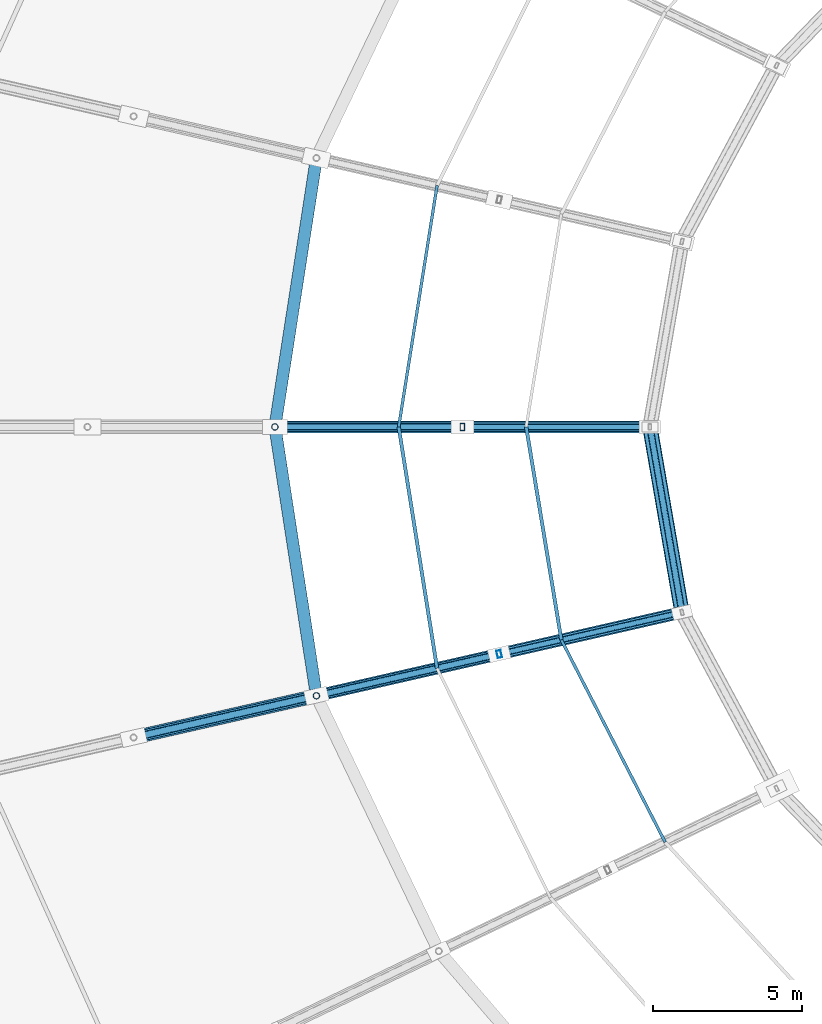
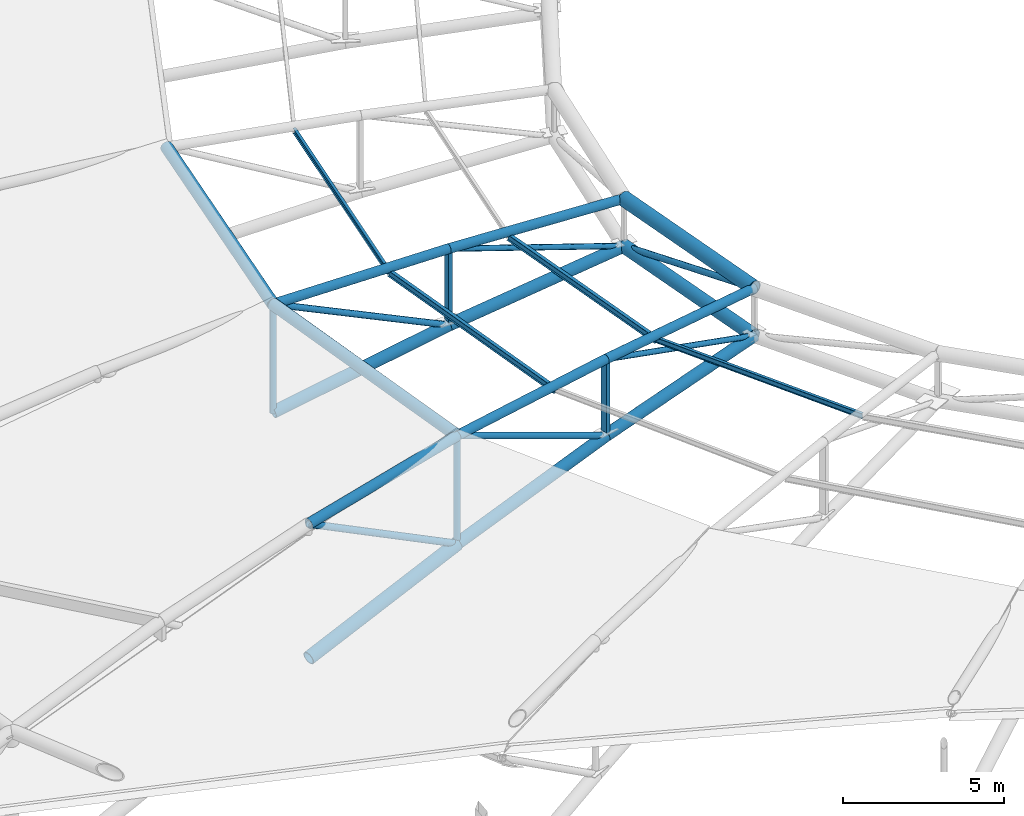
# One storey, part 33 of 108: 28 members.
"""IFC4 building model written with IfcOpenShell, lengths in metres."""

from ifc_helpers import new_model, si_unit, direction, frame, origin, origin_2d, place, context, subcontext, project, spatial, hollow_rectangle, hollow_circle, i_section, extrude, material, material_profile, profile_set, type_object, element, save


model = new_model("IFC4")

# Units and contexts
model_context = context("Model", 3, precision=1e-05, world=origin(), true_north=direction((0.0, 1.0)))
body_context = subcontext(model_context, "Body", "Model", "MODEL_VIEW")
ifc_project = project(units=[si_unit("LENGTHUNIT", "METRE"), si_unit("AREAUNIT", "SQUARE_METRE"), si_unit("VOLUMEUNIT", "CUBIC_METRE"), si_unit("PLANEANGLEUNIT", "RADIAN"), si_unit("MASSUNIT", "GRAM", prefix="KILO")], contexts=[model_context])

# Site, building, storey
site_placement = place(None, origin())
site = spatial("IfcSite", under=ifc_project, at=site_placement, CompositionType="ELEMENT")
building_placement = place(site_placement, origin())
building = spatial("IfcBuilding", under=site, at=building_placement, Name="Zevraka Park Crest Stadium", CompositionType="ELEMENT")
storey_placement = place(building_placement, frame((0.0, 0.0, 29.39990234375)))
storey = spatial("IfcBuildingStorey", under=building, at=storey_placement, Name="RF", CompositionType="ELEMENT", Elevation=29.39990234375)

# Members
ifc_material_1 = material(Name="Steel S355", Category="steel")
ifc_material_profile_1 = material_profile(ifc_material_1, i_section(OverallWidth=0.1201171875, OverallDepth=0.239990234375, WebThickness=0.006103515625, FlangeThickness=0.009765625, at=origin_2d()), Name="IPE 240")
ifc_profile_set_1 = profile_set([ifc_material_profile_1], Name="Steel S355")
member_type_1 = type_object("IfcMemberType", Name="PR01", PredefinedType="PURLIN", material=ifc_profile_set_1)
member_1_placement = place(storey_placement, frame((60.55810546875, 92.0, 9.153076171875), z_axis=(0.157084730465, -0.987585129219, 0.0), x_axis=(0.987585129219, 0.157084730465, 0.0)))
element("IfcMember", 1, at=member_1_placement, inside=storey, type_object=member_type_1, Name="Canopy Roof Purlin PR01 INNER-15-1", PredefinedType="PURLIN", context=body_context, shape_type="SweptSolid", body=[
    extrude(i_section(OverallWidth=0.1201171875, OverallDepth=0.239990234375, WebThickness=0.006103515625, FlangeThickness=0.009765625, at=origin_2d()), origin(), (0.0, 0.0, 1.0), 8.2109375),
])
member_2_placement = place(storey_placement, frame((64.842041015625, 92.0, 9.01708984375), z_axis=(0.162952302603, -0.986633947863, 0.0), x_axis=(0.986633947863, 0.162952302603, 0.0)))
element("IfcMember", 2, at=member_2_placement, inside=storey, type_object=member_type_1, Name="Canopy Roof Purlin PR01 INNER-15-2", PredefinedType="PURLIN", context=body_context, shape_type="SweptSolid", body=[
    extrude(i_section(OverallWidth=0.1201171875, OverallDepth=0.239990234375, WebThickness=0.006103515625, FlangeThickness=0.009765625, at=origin_2d()), origin(), (0.0, 0.0, 1.0), 7.2529296875),
])
ifc_material_2 = material(Name="Steel S355", Category="steel")
ifc_material_profile_2 = material_profile(ifc_material_2, i_section(OverallWidth=0.10009765625, OverallDepth=0.199951171875, WebThickness=0.005615234375, FlangeThickness=0.008544921875, at=origin_2d()), Name="IPE 200")
ifc_profile_set_2 = profile_set([ifc_material_profile_2], Name="Steel S355")
member_type_2 = type_object("IfcMemberType", Name="PR03", PredefinedType="PURLIN", material=ifc_profile_set_2)
member_3_placement = place(storey_placement, frame((61.847900390625, 100.10888671875, 9.173095703125), z_axis=(-0.157084730465, -0.987585129219, 0.0), x_axis=(0.987585129219, -0.157084730465, 0.0)))
element("IfcMember", 3, at=member_3_placement, inside=storey, type_object=member_type_2, Name="Canopy Roof Purlin PR03 INNER-14-1", PredefinedType="PURLIN", context=body_context, shape_type="SweptSolid", body=[
    extrude(i_section(OverallWidth=0.10009765625, OverallDepth=0.199951171875, WebThickness=0.005615234375, FlangeThickness=0.008544921875, at=origin_2d()), origin(), (0.0, 0.0, 1.0), 8.2109375),
])
member_4_placement = place(storey_placement, frame((66.02392578125, 84.843994140625, 9.037109375), z_axis=(0.456571603889, -0.889686669858, 0.0), x_axis=(0.889686669858, 0.456571603889, 0.0)))
element("IfcMember", 4, at=member_4_placement, inside=storey, type_object=member_type_2, Name="Canopy Roof Purlin PR03 INNER-16-2", PredefinedType="PURLIN", context=body_context, shape_type="SweptSolid", body=[
    extrude(i_section(OverallWidth=0.10009765625, OverallDepth=0.199951171875, WebThickness=0.005615234375, FlangeThickness=0.008544921875, at=origin_2d()), origin(), (0.0, 0.0, 1.0), 7.6396484375),
])
ifc_material_3 = material(Name="Steel S355", Category="steel")
ifc_material_profile_3 = material_profile(ifc_material_3, hollow_circle(Radius=0.25390625, WallThickness=0.030029296875, at=origin_2d()), Name="CHS 508.0x30")
ifc_profile_set_3 = profile_set([ifc_material_profile_3], Name="Steel S355")
member_type_3 = type_object("IfcMemberType", Name="TC01", PredefinedType="CHORD", material=ifc_profile_set_3)
member_5_placement = place(storey_placement, frame((69.0, 92.0, 9.0), z_axis=(0.170456369682, -0.985365224693, 0.0), x_axis=(0.985365224693, 0.170456369682, 0.0)))
element("IfcMember", 5, at=member_5_placement, inside=storey, type_object=member_type_3, Name="Roof Inner Oculus Compression-Tension Ring TC01 15", PredefinedType="CHORD", context=body_context, shape_type="SweptSolid", body=[
    extrude(hollow_circle(Radius=0.25390625, WallThickness=0.030029296875, at=origin_2d()), origin(), (0.0, 0.0, 1.0), 6.323486328125),
])
ifc_material_4 = material(Name="Steel S355", Category="steel")
ifc_material_profile_4 = material_profile(ifc_material_4, hollow_circle(Radius=0.228515625, WallThickness=0.02490234375, at=origin_2d()), Name="CHS 457.0x25")
ifc_profile_set_4 = profile_set([ifc_material_profile_4], Name="Steel S355")
member_type_4 = type_object("IfcMemberType", Name="TC02", PredefinedType="CHORD", material=ifc_profile_set_4)
member_6_placement = place(storey_placement, frame((51.652099609375, 81.56396484375, 3.9501953125), z_axis=(0.953281562703, 0.217621179576, 0.209512014954), x_axis=(-0.222560675043, 0.974918840686, 0.0)))
element("IfcMember", 6, at=member_6_placement, inside=storey, type_object=member_type_4, Name="Roof Truss Bottom Chord TC02 T16-5", PredefinedType="CHORD", context=body_context, shape_type="SweptSolid", body=[
    extrude(hollow_circle(Radius=0.228515625, WallThickness=0.02490234375, at=origin_2d()), origin(), (0.0, 0.0, 1.0), 6.44287109375),
])
member_7_placement = place(storey_placement, frame((69.0, 92.0, 7.2001953125), z_axis=(0.170456369682, -0.985365224693, 0.0), x_axis=(0.985365224693, 0.170456369682, 0.0)))
element("IfcMember", 7, at=member_7_placement, inside=storey, type_object=member_type_4, Name="Roof Inner Oculus Bottom Ring TC02 15", PredefinedType="CHORD", context=body_context, shape_type="SweptSolid", body=[
    extrude(hollow_circle(Radius=0.228515625, WallThickness=0.02490234375, at=origin_2d()), origin(), (0.0, 0.0, 1.0), 6.323486328125),
])
ifc_material_5 = material(Name="Steel S355", Category="steel")
ifc_material_profile_5 = material_profile(ifc_material_5, hollow_circle(Radius=0.203125, WallThickness=0.02001953125, at=origin_2d()), Name="CHS 406.4x20")
ifc_profile_set_5 = profile_set([ifc_material_profile_5], Name="Steel S355")
member_type_5 = type_object("IfcMemberType", Name="TC03", PredefinedType="CHORD", material=ifc_profile_set_5)
member_8_placement = place(storey_placement, frame((56.39990234375, 92.0, 5.300048828125), z_axis=(0.985094409339, 0.0, 0.172014547897), x_axis=(0.0, 1.0, 0.0)))
element("IfcMember", 8, at=member_8_placement, inside=storey, type_object=member_type_5, Name="Roof Truss Bottom Chord TC03 T15-6", PredefinedType="CHORD", context=body_context, shape_type="SweptSolid", body=[
    extrude(hollow_circle(Radius=0.203125, WallThickness=0.02001953125, at=origin_2d()), origin(), (0.0, 0.0, 1.0), 6.395263671875),
])
member_9_placement = place(storey_placement, frame((62.699951171875, 92.0, 6.400146484375), z_axis=(0.992032890363, 0.0, 0.125979142868), x_axis=(0.0, 1.0, 0.0)))
element("IfcMember", 9, at=member_9_placement, inside=storey, type_object=member_type_5, Name="Roof Truss Bottom Chord TC03 T15-7", PredefinedType="CHORD", context=body_context, shape_type="SweptSolid", body=[
    extrude(hollow_circle(Radius=0.203125, WallThickness=0.02001953125, at=origin_2d()), origin(), (0.0, 0.0, 1.0), 6.3505859375),
])
member_10_placement = place(storey_placement, frame((57.7939453125, 82.966064453125, 5.300048828125), z_axis=(0.960397219196, 0.219198697536, 0.172014860867), x_axis=(-0.222515433667, 0.974929167571, 0.0)))
element("IfcMember", 10, at=member_10_placement, inside=storey, type_object=member_type_5, Name="Roof Truss Bottom Chord TC03 T16-6", PredefinedType="CHORD", context=body_context, shape_type="SweptSolid", body=[
    extrude(hollow_circle(Radius=0.203125, WallThickness=0.02001953125, at=origin_2d()), origin(), (0.0, 0.0, 1.0), 6.395263671875),
])
member_11_placement = place(storey_placement, frame((63.93603515625, 84.367919921875, 6.400146484375), z_axis=(0.967183906339, 0.22064111136, 0.12598726641), x_axis=(-0.222413332215, 0.97495246533, 0.0)))
element("IfcMember", 11, at=member_11_placement, inside=storey, type_object=member_type_5, Name="Roof Truss Bottom Chord TC03 T16-7", PredefinedType="CHORD", context=body_context, shape_type="SweptSolid", body=[
    extrude(hollow_circle(Radius=0.203125, WallThickness=0.02001953125, at=origin_2d()), origin(), (0.0, 0.0, 1.0), 6.350341796875),
])
for number, where, z_axis, x_axis, name in (
    (12, (57.7939453125, 101.033935546875, 9.400146484375), (-0.152506739427, -0.98830243065, 0.0), (0.98830243065, -0.152506739427, 0.0), "Roof Canopy Arch Crown Ring Chord TC03 14"),
    (13, (56.39990234375, 92.0, 9.400146484375), (0.152506739427, -0.98830243065, 0.0), (0.98830243065, 0.152506739427, 0.0), "Roof Canopy Arch Crown Ring Chord TC03 15"),
):
    element("IfcMember", number, at=place(storey_placement, frame(where, z_axis=z_axis, x_axis=x_axis)), inside=storey, type_object=member_type_5, Name=name, PredefinedType="CHORD", context=body_context, shape_type="SweptSolid", body=[
        extrude(hollow_circle(Radius=0.203125, WallThickness=0.02001953125, at=origin_2d()), origin(), (0.0, 0.0, 1.0), 9.140869140625),
    ])
ifc_material_6 = material(Name="Steel S355", Category="steel")
ifc_material_profile_6 = material_profile(ifc_material_6, hollow_circle(Radius=0.161865234375, WallThickness=0.01611328125, at=origin_2d()), Name="CHS 323.9x16")
ifc_profile_set_6 = profile_set([ifc_material_profile_6], Name="Steel S355")
member_type_6 = type_object("IfcMemberType", Name="TC04", PredefinedType="CHORD", material=ifc_profile_set_6)
member_12_placement = place(storey_placement, frame((56.39990234375, 92.0, 9.400146484375), z_axis=(0.999873803365, 0.0, -0.01588638866), x_axis=(0.0, 1.0, 0.0)))
element("IfcMember", 14, at=member_12_placement, inside=storey, type_object=member_type_6, Name="Roof Truss Top Chord TC04 T15-6", PredefinedType="CHORD", context=body_context, shape_type="SweptSolid", body=[
    extrude(hollow_circle(Radius=0.161865234375, WallThickness=0.01611328125, at=origin_2d()), origin(), (0.0, 0.0, 1.0), 6.30078125),
])
member_13_placement = place(storey_placement, frame((62.699951171875, 92.0, 9.300048828125), z_axis=(0.998867787396, 0.0, -0.047572505743), x_axis=(0.0, 1.0, 0.0)))
element("IfcMember", 15, at=member_13_placement, inside=storey, type_object=member_type_6, Name="Roof Truss Top Chord TC04 T15-7", PredefinedType="CHORD", context=body_context, shape_type="SweptSolid", body=[
    extrude(hollow_circle(Radius=0.161865234375, WallThickness=0.01611328125, at=origin_2d()), origin(), (0.0, 0.0, 1.0), 6.30712890625),
])
member_14_placement = place(storey_placement, frame((57.7939453125, 82.966064453125, 9.400146484375), z_axis=(0.974806134329, 0.222487352863, -0.015886418438), x_axis=(-0.222515433667, 0.974929167571, 0.0)))
element("IfcMember", 16, at=member_14_placement, inside=storey, type_object=member_type_6, Name="Roof Truss Top Chord TC04 T16-6", PredefinedType="CHORD", context=body_context, shape_type="SweptSolid", body=[
    extrude(hollow_circle(Radius=0.161865234375, WallThickness=0.01611328125, at=origin_2d()), origin(), (0.0, 0.0, 1.0), 6.30078125),
])
member_15_placement = place(storey_placement, frame((63.93603515625, 84.367919921875, 9.300048828125), z_axis=(0.973848467445, 0.222161480092, -0.047575615792), x_axis=(-0.222413332215, 0.97495246533, 0.0)))
element("IfcMember", 17, at=member_15_placement, inside=storey, type_object=member_type_6, Name="Roof Truss Top Chord TC04 T16-7", PredefinedType="CHORD", context=body_context, shape_type="SweptSolid", body=[
    extrude(hollow_circle(Radius=0.161865234375, WallThickness=0.01611328125, at=origin_2d()), origin(), (0.0, 0.0, 1.0), 6.306884765625),
])
ifc_material_7 = material(Name="Steel S355", Category="steel")
ifc_material_profile_7 = material_profile(ifc_material_7, hollow_circle(Radius=0.177734375, WallThickness=0.01611328125, at=origin_2d()), Name="CHS 355.6x16")
ifc_profile_set_7 = profile_set([ifc_material_profile_7], Name="Steel S355")
member_type_7 = type_object("IfcMemberType", Name="TC05", PredefinedType="CHORD", material=ifc_profile_set_7)
member_16_placement = place(storey_placement, frame((51.652099609375, 81.56396484375, 9.050048828125), z_axis=(0.973416904436, 0.222217803481, 0.05548673693), x_axis=(-0.222560675043, 0.974918840686, 0.0)))
element("IfcMember", 18, at=member_16_placement, inside=storey, type_object=member_type_7, Name="Roof Truss Top Chord TC05 T16-5", PredefinedType="CHORD", context=body_context, shape_type="SweptSolid", body=[
    extrude(hollow_circle(Radius=0.177734375, WallThickness=0.01611328125, at=origin_2d()), origin(), (0.0, 0.0, 1.0), 6.3095703125),
])
ifc_material_8 = material(Name="Steel S355", Category="steel")
ifc_material_profile_8 = material_profile(ifc_material_8, hollow_circle(Radius=0.109619140625, WallThickness=0.010009765625, at=origin_2d()), Name="CHS 219.1x10")
ifc_profile_set_8 = profile_set([ifc_material_profile_8], Name="Steel S355")
member_type_8 = type_object("IfcMemberType", Name="WB02", PredefinedType="BRACE", material=ifc_profile_set_8)
member_17_placement = place(storey_placement, frame((56.39990234375, 92.0, 5.300048828125), z_axis=(0.0, 0.0, 1.0), x_axis=(1.0, 0.0, 0.0)))
element("IfcMember", 19, at=member_17_placement, inside=storey, type_object=member_type_8, Name="Roof Truss Web Post WB02 T15-5", PredefinedType="BRACE", context=body_context, shape_type="SweptSolid", body=[
    extrude(hollow_circle(Radius=0.109619140625, WallThickness=0.010009765625, at=origin_2d()), origin(), (0.0, 0.0, 1.0), 4.10009765625),
])
member_18_placement = place(storey_placement, frame((62.699951171875, 92.0, 6.400146484375), z_axis=(-0.902861812271, 0.0, 0.429930864142), x_axis=(0.0, -1.0, 0.0)))
element("IfcMember", 20, at=member_18_placement, inside=storey, type_object=member_type_8, Name="Roof Truss Web Diagonal WB02 T15-6", PredefinedType="BRACE", context=body_context, shape_type="SweptSolid", body=[
    extrude(hollow_circle(Radius=0.109619140625, WallThickness=0.010009765625, at=origin_2d()), origin(), (0.0, 0.0, 1.0), 6.977783203125),
])
member_19_placement = place(storey_placement, frame((57.7939453125, 82.966064453125, 5.300048828125), z_axis=(0.0, 0.0, 1.0), x_axis=(0.974916814618, 0.222569549971, 0.0)))
element("IfcMember", 21, at=member_19_placement, inside=storey, type_object=member_type_8, Name="Roof Truss Web Post WB02 T16-5", PredefinedType="BRACE", context=body_context, shape_type="SweptSolid", body=[
    extrude(hollow_circle(Radius=0.109619140625, WallThickness=0.010009765625, at=origin_2d()), origin(), (0.0, 0.0, 1.0), 4.10009765625),
])
member_20_placement = place(storey_placement, frame((63.93603515625, 84.367919921875, 6.400146484375), z_axis=(-0.880226010017, -0.200900618074, 0.429931521229), x_axis=(0.222515433667, -0.974929167571, 0.0)))
element("IfcMember", 22, at=member_20_placement, inside=storey, type_object=member_type_8, Name="Roof Truss Web Diagonal WB02 T16-6", PredefinedType="BRACE", context=body_context, shape_type="SweptSolid", body=[
    extrude(hollow_circle(Radius=0.109619140625, WallThickness=0.010009765625, at=origin_2d()), origin(), (0.0, 0.0, 1.0), 6.977783203125),
])
member_21_placement = place(storey_placement, frame((69.0, 92.0, 7.2001953125), z_axis=(0.163945117991, -0.947725323073, 0.2737493567), x_axis=(0.985365224693, 0.170456369682, 0.0)))
element("IfcMember", 23, at=member_21_placement, inside=storey, type_object=member_type_8, Name="Roof Oculus Ring Brace WB02 15", PredefinedType="BRACE", context=body_context, shape_type="SweptSolid", body=[
    extrude(hollow_circle(Radius=0.109619140625, WallThickness=0.010009765625, at=origin_2d()), origin(), (0.0, 0.0, 1.0), 6.57470703125),
])
ifc_material_9 = material(Name="Steel S355", Category="steel")
ifc_material_profile_9 = material_profile(ifc_material_9, hollow_rectangle(XDim=0.14990234375, YDim=0.25, WallThickness=0.010009765625, at=origin_2d()), Name="RHS 250x150x10")
ifc_profile_set_9 = profile_set([ifc_material_profile_9], Name="Steel S355")
member_type_9 = type_object("IfcMemberType", Name="WB04", PredefinedType="BRACE", material=ifc_profile_set_9)
for number, where, z_axis, x_axis, name in (
    (24, (62.699951171875, 92.0, 6.400146484375), (0.0, 0.0, 1.0), (1.0, 0.0, 0.0), "Roof Truss Web Post WB04 T15-6"),
    (25, (63.93603515625, 84.367919921875, 6.400146484375), (0.0, 0.0, 1.0), (0.974916814618, 0.222569549971, 0.0), "Roof Truss Web Post WB04 T16-6"),
):
    element("IfcMember", number, at=place(storey_placement, frame(where, z_axis=z_axis, x_axis=x_axis)), inside=storey, type_object=member_type_9, Name=name, PredefinedType="BRACE", context=body_context, shape_type="SweptSolid", body=[
        extrude(hollow_rectangle(XDim=0.14990234375, YDim=0.25, WallThickness=0.010009765625, at=origin_2d()), origin(), (0.0, 0.0, 1.0), 2.89990234375),
    ])
ifc_material_10 = material(Name="Steel S355", Category="steel")
ifc_material_profile_10 = material_profile(ifc_material_10, hollow_circle(Radius=0.122314453125, WallThickness=0.012451171875, at=origin_2d()), Name="CHS 244.5x12.5")
ifc_profile_set_10 = profile_set([ifc_material_profile_10], Name="Steel S355")
member_type_10 = type_object("IfcMemberType", Name="WB07", PredefinedType="BRACE", material=ifc_profile_set_10)
member_22_placement = place(storey_placement, frame((57.7939453125, 82.966064453125, 5.300048828125), z_axis=(-0.837735720083, -0.191243639561, 0.511492652561), x_axis=(0.222560675043, -0.974918840686, 0.0)))
element("IfcMember", 26, at=member_22_placement, inside=storey, type_object=member_type_10, Name="Roof Truss Web Diagonal WB07 T16-5", PredefinedType="BRACE", context=body_context, shape_type="SweptSolid", body=[
    extrude(hollow_circle(Radius=0.122314453125, WallThickness=0.012451171875, at=origin_2d()), origin(), (0.0, 0.0, 1.0), 7.33154296875),
])
ifc_material_11 = material(Name="Steel S355", Category="steel")
ifc_material_profile_11 = material_profile(ifc_material_11, hollow_circle(Radius=0.096923828125, WallThickness=0.010009765625, at=origin_2d()), Name="CHS 193.7x10")
ifc_profile_set_11 = profile_set([ifc_material_profile_11], Name="Steel S355")
member_type_11 = type_object("IfcMemberType", Name="WB08", PredefinedType="BRACE", material=ifc_profile_set_11)
member_23_placement = place(storey_placement, frame((69.0, 92.0, 7.2001953125), z_axis=(-0.94869065056, 0.0, 0.316205707633), x_axis=(0.0, -1.0, 0.0)))
element("IfcMember", 27, at=member_23_placement, inside=storey, type_object=member_type_11, Name="Roof Truss Web Diagonal WB08 T15-7", PredefinedType="BRACE", context=body_context, shape_type="SweptSolid", body=[
    extrude(hollow_circle(Radius=0.096923828125, WallThickness=0.010009765625, at=origin_2d()), origin(), (0.0, 0.0, 1.0), 6.640869140625),
])
member_24_placement = place(storey_placement, frame((70.077880859375, 85.76904296875, 7.2001953125), z_axis=(-0.924922228877, -0.211000066444, 0.316224354675), x_axis=(0.222413332215, -0.97495246533, 0.0)))
element("IfcMember", 28, at=member_24_placement, inside=storey, type_object=member_type_11, Name="Roof Truss Web Diagonal WB08 T16-7", PredefinedType="BRACE", context=body_context, shape_type="SweptSolid", body=[
    extrude(hollow_circle(Radius=0.096923828125, WallThickness=0.010009765625, at=origin_2d()), origin(), (0.0, 0.0, 1.0), 6.640380859375),
])

save(model, "model.ifc")
